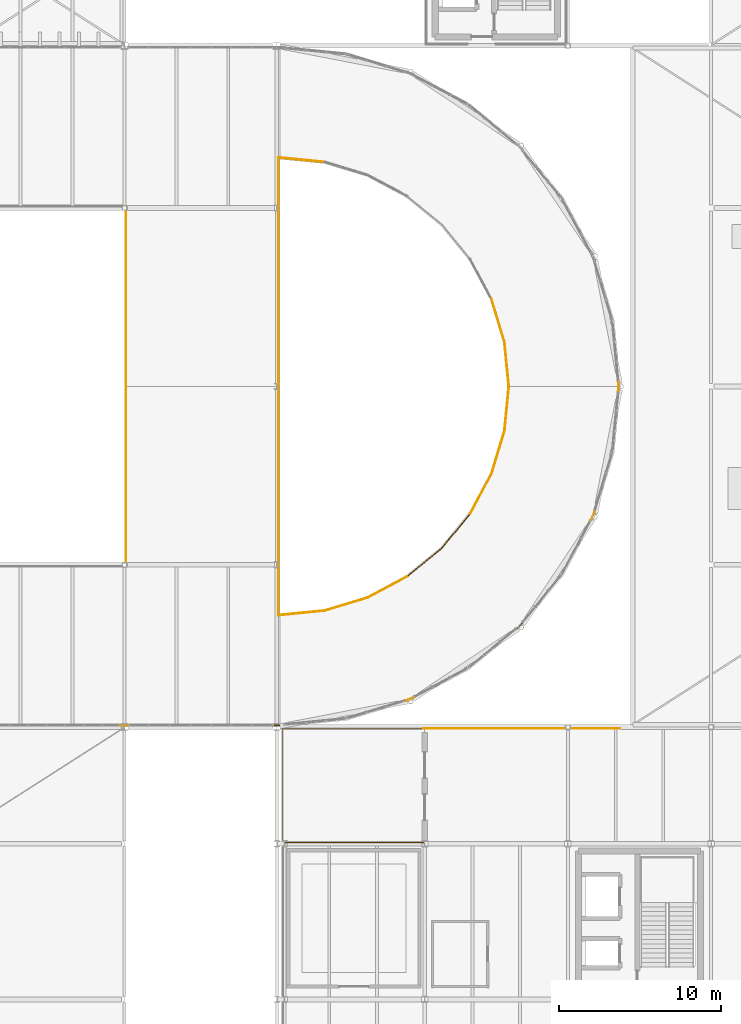
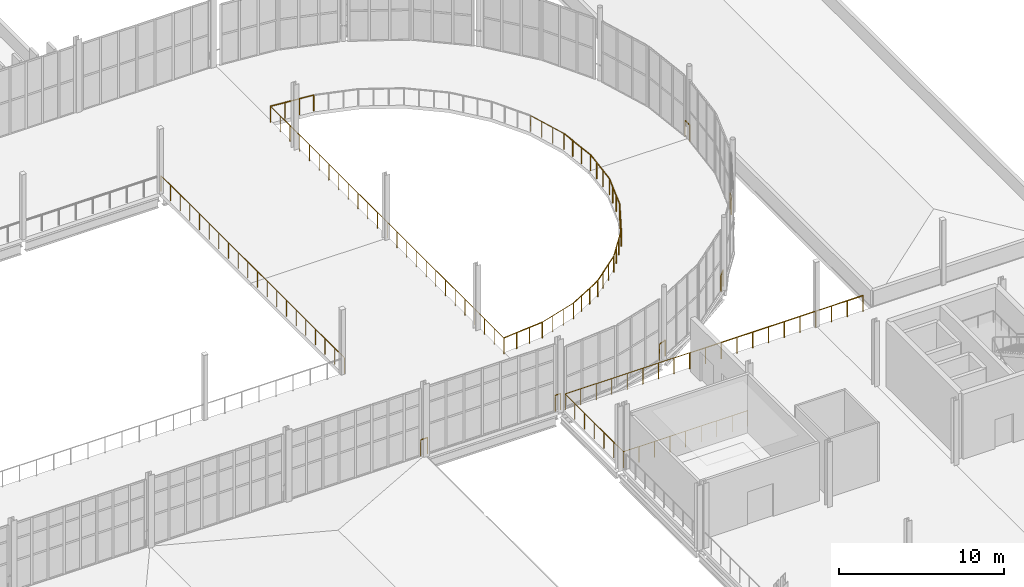
# One storey, part 111 of 112: 21 railings.
"""IFC4 building model written with IfcOpenShell, lengths in metres."""

from ifc_helpers import new_model, si_unit, direction, frame, origin, origin_2d, place, context, subcontext, project, spatial, circle, extrude, material, type_object, element, save


model = new_model("IFC4")

# Units and contexts
model_context = context("Model", 3, precision=1e-05, world=origin(), true_north=direction((0.0, 1.0)))
body_context = subcontext(model_context, "Body", "Model", "MODEL_VIEW")
ifc_project = project(units=[si_unit("LENGTHUNIT", "METRE"), si_unit("AREAUNIT", "SQUARE_METRE"), si_unit("VOLUMEUNIT", "CUBIC_METRE"), si_unit("PLANEANGLEUNIT", "RADIAN"), si_unit("MASSUNIT", "GRAM", prefix="KILO")], contexts=[model_context])

# Site, building, storey
site_placement = place(None, origin())
site = spatial("IfcSite", under=ifc_project, at=site_placement, CompositionType="ELEMENT")
building_placement = place(site_placement, origin())
building = spatial("IfcBuilding", under=site, at=building_placement, Name="Yeouljin Market Hall", CompositionType="ELEMENT")
storey_placement = place(building_placement, frame((0.0, 0.0, 6.0)))
storey = spatial("IfcBuildingStorey", under=building, at=storey_placement, Name="L01", CompositionType="ELEMENT", Elevation=6.0)

# Railings
ifc_material_1 = material(Name="Wrought Iron and Bronze Gallery Balustrade")
railing_type_1 = type_object("IfcRailingType", Name="Railing_AtriumBalustrade_1200", PredefinedType="BALUSTRADE", material=ifc_material_1)
railing_1_placement = place(storey_placement, frame((149.85009765625, 35.89990234375, 0.0)))
element("IfcRailing", 1, at=railing_1_placement, inside=storey, type_object=railing_type_1, Name="Gallery & deck edge balustrade L01-065", PredefinedType="BALUSTRADE", context=body_context, shape_type="SweptSolid", body=[
    extrude(circle(Radius=0.02392578125, at=origin_2d()), frame((0.0, 0.0, 1.17578125), z_axis=(1.0, 0.0, 0.0), x_axis=(0.0, 1.0, 0.0)), (0.0, 0.0, 1.0), 12.1083984375),
    extrude(circle(Radius=0.02099609375, at=origin_2d()), origin(), (0.0, 0.0, 1.0), 1.15185546875),
    extrude(circle(Radius=0.02099609375, at=origin_2d()), frame((1.100830078125, 0.0, 0.0)), (0.0, 0.0, 1.0), 1.15185546875),
    extrude(circle(Radius=0.02099609375, at=origin_2d()), frame((2.201416015625, 0.0, 0.0)), (0.0, 0.0, 1.0), 1.15185546875),
    extrude(circle(Radius=0.02099609375, at=origin_2d()), frame((3.30224609375, 0.0, 0.0)), (0.0, 0.0, 1.0), 1.15185546875),
    extrude(circle(Radius=0.02099609375, at=origin_2d()), frame((4.403076171875, 0.0, 0.0)), (0.0, 0.0, 1.0), 1.15185546875),
    extrude(circle(Radius=0.02099609375, at=origin_2d()), frame((5.50390625, 0.0, 0.0)), (0.0, 0.0, 1.0), 1.15185546875),
    extrude(circle(Radius=0.02099609375, at=origin_2d()), frame((6.6044921875, 0.0, 0.0)), (0.0, 0.0, 1.0), 1.15185546875),
    extrude(circle(Radius=0.02099609375, at=origin_2d()), frame((7.705322265625, 0.0, 0.0)), (0.0, 0.0, 1.0), 1.15185546875),
    extrude(circle(Radius=0.02099609375, at=origin_2d()), frame((8.80615234375, 0.0, 0.0)), (0.0, 0.0, 1.0), 1.15185546875),
    extrude(circle(Radius=0.02099609375, at=origin_2d()), frame((9.906982421875, 0.0, 0.0)), (0.0, 0.0, 1.0), 1.15185546875),
    extrude(circle(Radius=0.02099609375, at=origin_2d()), frame((11.007568359375, 0.0, 0.0)), (0.0, 0.0, 1.0), 1.15185546875),
    extrude(circle(Radius=0.02099609375, at=origin_2d()), frame((12.1083984375, 0.0, 0.0)), (0.0, 0.0, 1.0), 1.15185546875),
])
railing_2_placement = place(storey_placement, frame((161.871826171875, 57.280517578125, 0.0)))
element("IfcRailing", 2, at=railing_2_placement, inside=storey, type_object=railing_type_1, Name="Gallery & deck edge balustrade L01-085", PredefinedType="BALUSTRADE", context=body_context, shape_type="SweptSolid", body=[
    extrude(circle(Radius=0.02392578125, at=origin_2d()), frame((0.0, 0.0, 1.17578125), z_axis=(0.0, -1.0, 0.0), x_axis=(1.0, 0.0, 0.0)), (0.0, 0.0, 1.0), 0.56103515625),
    extrude(circle(Radius=0.02099609375, at=origin_2d()), origin(), (0.0, 0.0, 1.0), 1.15185546875),
    extrude(circle(Radius=0.02099609375, at=origin_2d()), frame((0.0, -0.56103515625, 0.0)), (0.0, 0.0, 1.0), 1.15185546875),
])
railing_3_placement = place(storey_placement, frame((160.390380859375, 49.27197265625, 0.0)))
element("IfcRailing", 3, at=railing_3_placement, inside=storey, type_object=railing_type_1, Name="Gallery & deck edge balustrade L01-086", PredefinedType="BALUSTRADE", context=body_context, shape_type="SweptSolid", body=[
    extrude(circle(Radius=0.02392578125, at=origin_2d()), frame((0.0, 0.0, 1.17578125), z_axis=(-0.382390216249, -0.924000932097, 0.0), x_axis=(0.924000932097, -0.382390216249, 0.0)), (0.0, 0.0, 1.0), 0.561279296875),
    extrude(circle(Radius=0.02099609375, at=origin_2d()), origin(), (0.0, 0.0, 1.0), 1.15185546875),
    extrude(circle(Radius=0.02099609375, at=origin_2d()), frame((-0.214599609375, -0.5185546875, 0.0)), (0.0, 0.0, 1.0), 1.15185546875),
])
railing_4_placement = place(storey_placement, frame((155.95703125, 42.439697265625, 0.0)))
element("IfcRailing", 4, at=railing_4_placement, inside=storey, type_object=railing_type_1, Name="Gallery & deck edge balustrade L01-087", PredefinedType="BALUSTRADE", context=body_context, shape_type="SweptSolid", body=[
    extrude(circle(Radius=0.02392578125, at=origin_2d()), frame((0.0, 0.0, 1.17578125), z_axis=(-0.707106781187, -0.707106781187, 0.0), x_axis=(0.707106781187, -0.707106781187, 0.0)), (0.0, 0.0, 1.0), 0.56103515625),
    extrude(circle(Radius=0.02099609375, at=origin_2d()), origin(), (0.0, 0.0, 1.0), 1.15185546875),
    extrude(circle(Radius=0.02099609375, at=origin_2d()), frame((-0.396728515625, -0.396728515625, 0.0)), (0.0, 0.0, 1.0), 1.15185546875),
])
railing_5_placement = place(storey_placement, frame((149.24658203125, 37.82421875, 0.0)))
element("IfcRailing", 5, at=railing_5_placement, inside=storey, type_object=railing_type_1, Name="Gallery & deck edge balustrade L01-088", PredefinedType="BALUSTRADE", context=body_context, shape_type="SweptSolid", body=[
    extrude(circle(Radius=0.02392578125, at=origin_2d()), frame((0.0, 0.0, 1.17578125), z_axis=(-0.924000932097, -0.382390216249, 0.0), x_axis=(0.382390216249, -0.924000932097, 0.0)), (0.0, 0.0, 1.0), 0.561279296875),
    extrude(circle(Radius=0.02099609375, at=origin_2d()), origin(), (0.0, 0.0, 1.0), 1.15185546875),
    extrude(circle(Radius=0.02099609375, at=origin_2d()), frame((-0.5185546875, -0.214599609375, 0.0)), (0.0, 0.0, 1.0), 1.15185546875),
])
railing_6_placement = place(storey_placement, frame((140.94580078125, 36.10009765625, 0.0)))
element("IfcRailing", 6, at=railing_6_placement, inside=storey, type_object=railing_type_1, Name="Gallery & deck edge balustrade L01-089", PredefinedType="BALUSTRADE", context=body_context, shape_type="SweptSolid", body=[
    extrude(circle(Radius=0.02392578125, at=origin_2d()), frame((0.0, 0.0, 1.17578125), z_axis=(-1.0, 0.0, 0.0), x_axis=(0.0, -1.0, 0.0)), (0.0, 0.0, 1.0), 0.395751953125),
    extrude(circle(Radius=0.02099609375, at=origin_2d()), origin(), (0.0, 0.0, 1.0), 1.15185546875),
    extrude(circle(Radius=0.02099609375, at=origin_2d()), frame((-0.395751953125, 0.0, 0.0)), (0.0, 0.0, 1.0), 1.15185546875),
])
railing_7_placement = place(storey_placement, frame((131.64990234375, 36.10009765625, 0.0)))
element("IfcRailing", 7, at=railing_7_placement, inside=storey, type_object=railing_type_1, Name="Gallery & deck edge balustrade L01-090", PredefinedType="BALUSTRADE", context=body_context, shape_type="SweptSolid", body=[
    extrude(circle(Radius=0.02392578125, at=origin_2d()), frame((0.0, 0.0, 1.17578125), z_axis=(-1.0, 0.0, 0.0), x_axis=(0.0, -1.0, 0.0)), (0.0, 0.0, 1.0), 0.5),
    extrude(circle(Radius=0.02099609375, at=origin_2d()), origin(), (0.0, 0.0, 1.0), 1.15185546875),
    extrude(circle(Radius=0.02099609375, at=origin_2d()), frame((-0.5, 0.0, 0.0)), (0.0, 0.0, 1.0), 1.15185546875),
])
railing_8_placement = place(storey_placement, frame((143.7509765625, 43.17041015625, 0.0)))
element("IfcRailing", 8, at=railing_8_placement, inside=storey, type_object=railing_type_1, Name="Gallery & deck edge balustrade L01-101", PredefinedType="BALUSTRADE", context=body_context, shape_type="SweptSolid", body=[
    extrude(circle(Radius=0.02392578125, at=origin_2d()), frame((0.0, 0.0, 1.17578125), z_axis=(0.956927035632, 0.290328518195, 0.0), x_axis=(-0.290328518195, 0.956927035632, 0.0)), (0.0, 0.0, 1.0), 2.76416015625),
    extrude(circle(Radius=0.02099609375, at=origin_2d()), origin(), (0.0, 0.0, 1.0), 1.15185546875),
    extrude(circle(Radius=0.02099609375, at=origin_2d()), frame((0.881591796875, 0.267578125, 0.0)), (0.0, 0.0, 1.0), 1.15185546875),
    extrude(circle(Radius=0.02099609375, at=origin_2d()), frame((1.763427734375, 0.534912109375, 0.0)), (0.0, 0.0, 1.0), 1.15185546875),
    extrude(circle(Radius=0.02099609375, at=origin_2d()), frame((2.64501953125, 0.802490234375, 0.0)), (0.0, 0.0, 1.0), 1.15185546875),
])
railing_9_placement = place(storey_placement, frame((146.39599609375, 43.972900390625, 0.0)))
element("IfcRailing", 9, at=railing_9_placement, inside=storey, type_object=railing_type_1, Name="Gallery & deck edge balustrade L01-102", PredefinedType="BALUSTRADE", context=body_context, shape_type="SweptSolid", body=[
    extrude(circle(Radius=0.02392578125, at=origin_2d()), frame((0.0, 0.0, 1.17578125), z_axis=(0.88192470469, 0.471390300343, 0.0), x_axis=(-0.471390300343, 0.88192470469, 0.0)), (0.0, 0.0, 1.0), 2.76416015625),
    extrude(circle(Radius=0.02099609375, at=origin_2d()), origin(), (0.0, 0.0, 1.0), 1.15185546875),
    extrude(circle(Radius=0.02099609375, at=origin_2d()), frame((0.8125, 0.434326171875, 0.0)), (0.0, 0.0, 1.0), 1.15185546875),
    extrude(circle(Radius=0.02099609375, at=origin_2d()), frame((1.625244140625, 0.86865234375, 0.0)), (0.0, 0.0, 1.0), 1.15185546875),
    extrude(circle(Radius=0.02099609375, at=origin_2d()), frame((2.437744140625, 1.302978515625, 0.0)), (0.0, 0.0, 1.0), 1.15185546875),
])
railing_10_placement = place(storey_placement, frame((148.833740234375, 45.27587890625, 0.0)))
element("IfcRailing", 10, at=railing_10_placement, inside=storey, type_object=railing_type_1, Name="Gallery & deck edge balustrade L01-103", PredefinedType="BALUSTRADE", context=body_context, shape_type="SweptSolid", body=[
    extrude(circle(Radius=0.02392578125, at=origin_2d()), frame((0.0, 0.0, 1.17578125), z_axis=(0.773071149446, 0.634319318556, 0.0), x_axis=(-0.634319318556, 0.773071149446, 0.0)), (0.0, 0.0, 1.0), 2.76416015625),
    extrude(circle(Radius=0.02099609375, at=origin_2d()), origin(), (0.0, 0.0, 1.0), 1.15185546875),
    extrude(circle(Radius=0.02099609375, at=origin_2d()), frame((0.71240234375, 0.58447265625, 0.0)), (0.0, 0.0, 1.0), 1.15185546875),
    extrude(circle(Radius=0.02099609375, at=origin_2d()), frame((1.424560546875, 1.1689453125, 0.0)), (0.0, 0.0, 1.0), 1.15185546875),
    extrude(circle(Radius=0.02099609375, at=origin_2d()), frame((2.136962890625, 1.75341796875, 0.0)), (0.0, 0.0, 1.0), 1.15185546875),
])
railing_11_placement = place(storey_placement, frame((150.970703125, 47.029296875, 0.0)))
element("IfcRailing", 11, at=railing_11_placement, inside=storey, type_object=railing_type_1, Name="Gallery & deck edge balustrade L01-104", PredefinedType="BALUSTRADE", context=body_context, shape_type="SweptSolid", body=[
    extrude(circle(Radius=0.02392578125, at=origin_2d()), frame((0.0, 0.0, 1.17578125), z_axis=(0.634319318556, 0.773071149446, 0.0), x_axis=(-0.773071149446, 0.634319318556, 0.0)), (0.0, 0.0, 1.0), 2.76416015625),
    extrude(circle(Radius=0.02099609375, at=origin_2d()), origin(), (0.0, 0.0, 1.0), 1.15185546875),
    extrude(circle(Radius=0.02099609375, at=origin_2d()), frame((0.58447265625, 0.71240234375, 0.0)), (0.0, 0.0, 1.0), 1.15185546875),
    extrude(circle(Radius=0.02099609375, at=origin_2d()), frame((1.1689453125, 1.424560546875, 0.0)), (0.0, 0.0, 1.0), 1.15185546875),
    extrude(circle(Radius=0.02099609375, at=origin_2d()), frame((1.75341796875, 2.136962890625, 0.0)), (0.0, 0.0, 1.0), 1.15185546875),
])
railing_12_placement = place(storey_placement, frame((152.72412109375, 49.166259765625, 0.0)))
element("IfcRailing", 12, at=railing_12_placement, inside=storey, type_object=railing_type_1, Name="Gallery & deck edge balustrade L01-105", PredefinedType="BALUSTRADE", context=body_context, shape_type="SweptSolid", body=[
    extrude(circle(Radius=0.02392578125, at=origin_2d()), frame((0.0, 0.0, 1.17578125), z_axis=(0.471390300343, 0.88192470469, 0.0), x_axis=(-0.88192470469, 0.471390300343, 0.0)), (0.0, 0.0, 1.0), 2.76416015625),
    extrude(circle(Radius=0.02099609375, at=origin_2d()), origin(), (0.0, 0.0, 1.0), 1.15185546875),
    extrude(circle(Radius=0.02099609375, at=origin_2d()), frame((0.434326171875, 0.8125, 0.0)), (0.0, 0.0, 1.0), 1.15185546875),
    extrude(circle(Radius=0.02099609375, at=origin_2d()), frame((0.86865234375, 1.625244140625, 0.0)), (0.0, 0.0, 1.0), 1.15185546875),
    extrude(circle(Radius=0.02099609375, at=origin_2d()), frame((1.302978515625, 2.437744140625, 0.0)), (0.0, 0.0, 1.0), 1.15185546875),
])
railing_13_placement = place(storey_placement, frame((154.027099609375, 51.60400390625, 0.0)))
element("IfcRailing", 13, at=railing_13_placement, inside=storey, type_object=railing_type_1, Name="Gallery & deck edge balustrade L01-106", PredefinedType="BALUSTRADE", context=body_context, shape_type="SweptSolid", body=[
    extrude(circle(Radius=0.02392578125, at=origin_2d()), frame((0.0, 0.0, 1.17578125), z_axis=(0.290328518195, 0.956927035632, 0.0), x_axis=(-0.956927035632, 0.290328518195, 0.0)), (0.0, 0.0, 1.0), 2.76416015625),
    extrude(circle(Radius=0.02099609375, at=origin_2d()), origin(), (0.0, 0.0, 1.0), 1.15185546875),
    extrude(circle(Radius=0.02099609375, at=origin_2d()), frame((0.267578125, 0.881591796875, 0.0)), (0.0, 0.0, 1.0), 1.15185546875),
    extrude(circle(Radius=0.02099609375, at=origin_2d()), frame((0.534912109375, 1.763427734375, 0.0)), (0.0, 0.0, 1.0), 1.15185546875),
    extrude(circle(Radius=0.02099609375, at=origin_2d()), frame((0.802490234375, 2.64501953125, 0.0)), (0.0, 0.0, 1.0), 1.15185546875),
])
railing_14_placement = place(storey_placement, frame((154.82958984375, 54.2490234375, 0.0)))
element("IfcRailing", 14, at=railing_14_placement, inside=storey, type_object=railing_type_1, Name="Gallery & deck edge balustrade L01-107", PredefinedType="BALUSTRADE", context=body_context, shape_type="SweptSolid", body=[
    extrude(circle(Radius=0.02392578125, at=origin_2d()), frame((0.0, 0.0, 1.17578125), z_axis=(0.098034535385, 0.995183013255, 0.0), x_axis=(-0.995183013255, 0.098034535385, 0.0)), (0.0, 0.0, 1.0), 2.764404296875),
    extrude(circle(Radius=0.02099609375, at=origin_2d()), origin(), (0.0, 0.0, 1.0), 1.15185546875),
    extrude(circle(Radius=0.02099609375, at=origin_2d()), frame((0.09033203125, 0.9169921875, 0.0)), (0.0, 0.0, 1.0), 1.15185546875),
    extrude(circle(Radius=0.02099609375, at=origin_2d()), frame((0.1806640625, 1.833984375, 0.0)), (0.0, 0.0, 1.0), 1.15185546875),
    extrude(circle(Radius=0.02099609375, at=origin_2d()), frame((0.27099609375, 2.7509765625, 0.0)), (0.0, 0.0, 1.0), 1.15185546875),
])
railing_15_placement = place(storey_placement, frame((155.1005859375, 57.0, 0.0)))
element("IfcRailing", 15, at=railing_15_placement, inside=storey, type_object=railing_type_1, Name="Gallery & deck edge balustrade L01-108", PredefinedType="BALUSTRADE", context=body_context, shape_type="SweptSolid", body=[
    extrude(circle(Radius=0.02392578125, at=origin_2d()), frame((0.0, 0.0, 1.17578125), z_axis=(-0.098034535385, 0.995183013255, 0.0), x_axis=(-0.995183013255, -0.098034535385, 0.0)), (0.0, 0.0, 1.0), 2.764404296875),
    extrude(circle(Radius=0.02099609375, at=origin_2d()), origin(), (0.0, 0.0, 1.0), 1.15185546875),
    extrude(circle(Radius=0.02099609375, at=origin_2d()), frame((-0.09033203125, 0.9169921875, 0.0)), (0.0, 0.0, 1.0), 1.15185546875),
    extrude(circle(Radius=0.02099609375, at=origin_2d()), frame((-0.1806640625, 1.833984375, 0.0)), (0.0, 0.0, 1.0), 1.15185546875),
    extrude(circle(Radius=0.02099609375, at=origin_2d()), frame((-0.27099609375, 2.7509765625, 0.0)), (0.0, 0.0, 1.0), 1.15185546875),
])
railing_16_placement = place(storey_placement, frame((154.82958984375, 59.7509765625, 0.0)))
element("IfcRailing", 16, at=railing_16_placement, inside=storey, type_object=railing_type_1, Name="Gallery & deck edge balustrade L01-109", PredefinedType="BALUSTRADE", context=body_context, shape_type="SweptSolid", body=[
    extrude(circle(Radius=0.02392578125, at=origin_2d()), frame((0.0, 0.0, 1.17578125), z_axis=(-0.290328518195, 0.956927035632, 0.0), x_axis=(-0.956927035632, -0.290328518195, 0.0)), (0.0, 0.0, 1.0), 2.76416015625),
    extrude(circle(Radius=0.02099609375, at=origin_2d()), origin(), (0.0, 0.0, 1.0), 1.15185546875),
    extrude(circle(Radius=0.02099609375, at=origin_2d()), frame((-0.267578125, 0.881591796875, 0.0)), (0.0, 0.0, 1.0), 1.15185546875),
    extrude(circle(Radius=0.02099609375, at=origin_2d()), frame((-0.534912109375, 1.763427734375, 0.0)), (0.0, 0.0, 1.0), 1.15185546875),
    extrude(circle(Radius=0.02099609375, at=origin_2d()), frame((-0.802490234375, 2.64501953125, 0.0)), (0.0, 0.0, 1.0), 1.15185546875),
])
railing_17_placement = place(storey_placement, frame((143.7509765625, 70.82958984375, 0.0)))
element("IfcRailing", 17, at=railing_17_placement, inside=storey, type_object=railing_type_1, Name="Gallery & deck edge balustrade L01-115", PredefinedType="BALUSTRADE", context=body_context, shape_type="SweptSolid", body=[
    extrude(circle(Radius=0.02392578125, at=origin_2d()), frame((0.0, 0.0, 1.17578125), z_axis=(-0.99518624452, 0.098001728138, 0.0), x_axis=(-0.098001728138, -0.99518624452, 0.0)), (0.0, 0.0, 1.0), 2.86474609375),
    extrude(circle(Radius=0.02099609375, at=origin_2d()), origin(), (0.0, 0.0, 1.0), 1.15185546875),
    extrude(circle(Radius=0.02099609375, at=origin_2d()), frame((-0.950439453125, 0.093505859375, 0.0)), (0.0, 0.0, 1.0), 1.15185546875),
    extrude(circle(Radius=0.02099609375, at=origin_2d()), frame((-1.900634765625, 0.187255859375, 0.0)), (0.0, 0.0, 1.0), 1.15185546875),
    extrude(circle(Radius=0.02099609375, at=origin_2d()), frame((-2.85107421875, 0.28076171875, 0.0)), (0.0, 0.0, 1.0), 1.15185546875),
])
railing_18_placement = place(storey_placement, frame((140.89990234375, 71.1103515625, 0.0)))
element("IfcRailing", 18, at=railing_18_placement, inside=storey, type_object=railing_type_1, Name="Gallery & deck edge balustrade L01-116", PredefinedType="BALUSTRADE", context=body_context, shape_type="SweptSolid", body=[
    extrude(circle(Radius=0.02392578125, at=origin_2d()), frame((0.0, 0.0, 1.17578125), z_axis=(0.0, -1.0, 0.0), x_axis=(1.0, 0.0, 0.0)), (0.0, 0.0, 1.0), 28.220703125),
    extrude(circle(Radius=0.02099609375, at=origin_2d()), origin(), (0.0, 0.0, 1.0), 1.15185546875),
    extrude(circle(Radius=0.02099609375, at=origin_2d()), frame((0.0, -1.17578125, 0.0)), (0.0, 0.0, 1.0), 1.15185546875),
    extrude(circle(Radius=0.02099609375, at=origin_2d()), frame((0.0, -2.351806640625, 0.0)), (0.0, 0.0, 1.0), 1.15185546875),
    extrude(circle(Radius=0.02099609375, at=origin_2d()), frame((0.0, -3.527587890625, 0.0)), (0.0, 0.0, 1.0), 1.15185546875),
    extrude(circle(Radius=0.02099609375, at=origin_2d()), frame((0.0, -4.703369140625, 0.0)), (0.0, 0.0, 1.0), 1.15185546875),
    extrude(circle(Radius=0.02099609375, at=origin_2d()), frame((0.0, -5.87939453125, 0.0)), (0.0, 0.0, 1.0), 1.15185546875),
    extrude(circle(Radius=0.02099609375, at=origin_2d()), frame((0.0, -7.05517578125, 0.0)), (0.0, 0.0, 1.0), 1.15185546875),
    extrude(circle(Radius=0.02099609375, at=origin_2d()), frame((0.0, -8.23095703125, 0.0)), (0.0, 0.0, 1.0), 1.15185546875),
    extrude(circle(Radius=0.02099609375, at=origin_2d()), frame((0.0, -9.406982421875, 0.0)), (0.0, 0.0, 1.0), 1.15185546875),
    extrude(circle(Radius=0.02099609375, at=origin_2d()), frame((0.0, -10.582763671875, 0.0)), (0.0, 0.0, 1.0), 1.15185546875),
    extrude(circle(Radius=0.02099609375, at=origin_2d()), frame((0.0, -11.758544921875, 0.0)), (0.0, 0.0, 1.0), 1.15185546875),
    extrude(circle(Radius=0.02099609375, at=origin_2d()), frame((0.0, -12.9345703125, 0.0)), (0.0, 0.0, 1.0), 1.15185546875),
    extrude(circle(Radius=0.02099609375, at=origin_2d()), frame((0.0, -14.1103515625, 0.0)), (0.0, 0.0, 1.0), 1.15185546875),
    extrude(circle(Radius=0.02099609375, at=origin_2d()), frame((0.0, -15.2861328125, 0.0)), (0.0, 0.0, 1.0), 1.15185546875),
    extrude(circle(Radius=0.02099609375, at=origin_2d()), frame((0.0, -16.462158203125, 0.0)), (0.0, 0.0, 1.0), 1.15185546875),
    extrude(circle(Radius=0.02099609375, at=origin_2d()), frame((0.0, -17.637939453125, 0.0)), (0.0, 0.0, 1.0), 1.15185546875),
    extrude(circle(Radius=0.02099609375, at=origin_2d()), frame((0.0, -18.813720703125, 0.0)), (0.0, 0.0, 1.0), 1.15185546875),
    extrude(circle(Radius=0.02099609375, at=origin_2d()), frame((0.0, -19.98974609375, 0.0)), (0.0, 0.0, 1.0), 1.15185546875),
    extrude(circle(Radius=0.02099609375, at=origin_2d()), frame((0.0, -21.16552734375, 0.0)), (0.0, 0.0, 1.0), 1.15185546875),
    extrude(circle(Radius=0.02099609375, at=origin_2d()), frame((0.0, -22.34130859375, 0.0)), (0.0, 0.0, 1.0), 1.15185546875),
    extrude(circle(Radius=0.02099609375, at=origin_2d()), frame((0.0, -23.517333984375, 0.0)), (0.0, 0.0, 1.0), 1.15185546875),
    extrude(circle(Radius=0.02099609375, at=origin_2d()), frame((0.0, -24.693115234375, 0.0)), (0.0, 0.0, 1.0), 1.15185546875),
    extrude(circle(Radius=0.02099609375, at=origin_2d()), frame((0.0, -25.868896484375, 0.0)), (0.0, 0.0, 1.0), 1.15185546875),
    extrude(circle(Radius=0.02099609375, at=origin_2d()), frame((0.0, -27.044921875, 0.0)), (0.0, 0.0, 1.0), 1.15185546875),
    extrude(circle(Radius=0.02099609375, at=origin_2d()), frame((0.0, -28.220703125, 0.0)), (0.0, 0.0, 1.0), 1.15185546875),
])
railing_19_placement = place(storey_placement, frame((140.89990234375, 42.8896484375, 0.0)))
element("IfcRailing", 19, at=railing_19_placement, inside=storey, type_object=railing_type_1, Name="Gallery & deck edge balustrade L01-117", PredefinedType="BALUSTRADE", context=body_context, shape_type="SweptSolid", body=[
    extrude(circle(Radius=0.02392578125, at=origin_2d()), frame((0.0, 0.0, 1.17578125), z_axis=(0.99518624452, 0.098001728138, 0.0), x_axis=(-0.098001728138, 0.99518624452, 0.0)), (0.0, 0.0, 1.0), 2.86474609375),
    extrude(circle(Radius=0.02099609375, at=origin_2d()), origin(), (0.0, 0.0, 1.0), 1.15185546875),
    extrude(circle(Radius=0.02099609375, at=origin_2d()), frame((0.950439453125, 0.093505859375, 0.0)), (0.0, 0.0, 1.0), 1.15185546875),
    extrude(circle(Radius=0.02099609375, at=origin_2d()), frame((1.900634765625, 0.187255859375, 0.0)), (0.0, 0.0, 1.0), 1.15185546875),
    extrude(circle(Radius=0.02099609375, at=origin_2d()), frame((2.85107421875, 0.28076171875, 0.0)), (0.0, 0.0, 1.0), 1.15185546875),
])
railing_20_placement = place(storey_placement, frame((131.5, 45.89990234375, 0.0)))
element("IfcRailing", 20, at=railing_20_placement, inside=storey, type_object=railing_type_1, Name="Gallery & deck edge balustrade L01-121", PredefinedType="BALUSTRADE", context=body_context, shape_type="SweptSolid", body=[
    extrude(circle(Radius=0.02392578125, at=origin_2d()), frame((0.0, 0.0, 1.17578125), z_axis=(0.0, 1.0, 0.0), x_axis=(-1.0, 0.0, 0.0)), (0.0, 0.0, 1.0), 22.2001953125),
    extrude(circle(Radius=0.02099609375, at=origin_2d()), origin(), (0.0, 0.0, 1.0), 1.15185546875),
    extrude(circle(Radius=0.02099609375, at=origin_2d()), frame((0.0, 1.16845703125, 0.0)), (0.0, 0.0, 1.0), 1.15185546875),
    extrude(circle(Radius=0.02099609375, at=origin_2d()), frame((0.0, 2.3369140625, 0.0)), (0.0, 0.0, 1.0), 1.15185546875),
    extrude(circle(Radius=0.02099609375, at=origin_2d()), frame((0.0, 3.50537109375, 0.0)), (0.0, 0.0, 1.0), 1.15185546875),
    extrude(circle(Radius=0.02099609375, at=origin_2d()), frame((0.0, 4.673828125, 0.0)), (0.0, 0.0, 1.0), 1.15185546875),
    extrude(circle(Radius=0.02099609375, at=origin_2d()), frame((0.0, 5.842041015625, 0.0)), (0.0, 0.0, 1.0), 1.15185546875),
    extrude(circle(Radius=0.02099609375, at=origin_2d()), frame((0.0, 7.010498046875, 0.0)), (0.0, 0.0, 1.0), 1.15185546875),
    extrude(circle(Radius=0.02099609375, at=origin_2d()), frame((0.0, 8.178955078125, 0.0)), (0.0, 0.0, 1.0), 1.15185546875),
    extrude(circle(Radius=0.02099609375, at=origin_2d()), frame((0.0, 9.347412109375, 0.0)), (0.0, 0.0, 1.0), 1.15185546875),
    extrude(circle(Radius=0.02099609375, at=origin_2d()), frame((0.0, 10.515869140625, 0.0)), (0.0, 0.0, 1.0), 1.15185546875),
    extrude(circle(Radius=0.02099609375, at=origin_2d()), frame((0.0, 11.684326171875, 0.0)), (0.0, 0.0, 1.0), 1.15185546875),
    extrude(circle(Radius=0.02099609375, at=origin_2d()), frame((0.0, 12.852783203125, 0.0)), (0.0, 0.0, 1.0), 1.15185546875),
    extrude(circle(Radius=0.02099609375, at=origin_2d()), frame((0.0, 14.021240234375, 0.0)), (0.0, 0.0, 1.0), 1.15185546875),
    extrude(circle(Radius=0.02099609375, at=origin_2d()), frame((0.0, 15.189697265625, 0.0)), (0.0, 0.0, 1.0), 1.15185546875),
    extrude(circle(Radius=0.02099609375, at=origin_2d()), frame((0.0, 16.358154296875, 0.0)), (0.0, 0.0, 1.0), 1.15185546875),
    extrude(circle(Radius=0.02099609375, at=origin_2d()), frame((0.0, 17.5263671875, 0.0)), (0.0, 0.0, 1.0), 1.15185546875),
    extrude(circle(Radius=0.02099609375, at=origin_2d()), frame((0.0, 18.69482421875, 0.0)), (0.0, 0.0, 1.0), 1.15185546875),
    extrude(circle(Radius=0.02099609375, at=origin_2d()), frame((0.0, 19.86328125, 0.0)), (0.0, 0.0, 1.0), 1.15185546875),
    extrude(circle(Radius=0.02099609375, at=origin_2d()), frame((0.0, 21.03173828125, 0.0)), (0.0, 0.0, 1.0), 1.15185546875),
    extrude(circle(Radius=0.02099609375, at=origin_2d()), frame((0.0, 22.2001953125, 0.0)), (0.0, 0.0, 1.0), 1.15185546875),
])
ifc_material_2 = material(Name="Architectural Bronze Balustrade")
railing_type_2 = type_object("IfcRailingType", Name="Railing_TerraceGuard_1200", PredefinedType="GUARDRAIL", material=ifc_material_2)
railing_21_placement = place(storey_placement, frame((149.85009765625, 28.8798828125, 0.0)))
element("IfcRailing", 21, at=railing_21_placement, inside=storey, type_object=railing_type_2, Name="East promenade terrace guardrail L01", PredefinedType="GUARDRAIL", context=body_context, shape_type="SweptSolid", body=[
    extrude(circle(Radius=0.02392578125, at=origin_2d()), frame((0.0, 0.0, 1.17578125), z_axis=(-1.0, 0.0, 0.0), x_axis=(0.0, -1.0, 0.0)), (0.0, 0.0, 1.0), 8.690185546875),
    extrude(circle(Radius=0.02392578125, at=origin_2d()), frame((-8.690185546875, 0.0, 1.17578125), z_axis=(0.0, 1.0, 0.0), x_axis=(-1.0, 0.0, 0.0)), (0.0, 0.0, 1.0), 7.0400390625),
    extrude(circle(Radius=0.02392578125, at=origin_2d()), frame((-8.690185546875, 7.0400390625, 1.17578125), z_axis=(1.0, 0.0, 0.0), x_axis=(0.0, 1.0, 0.0)), (0.0, 0.0, 1.0), 8.690185546875),
    extrude(circle(Radius=0.02099609375, at=origin_2d()), origin(), (0.0, 0.0, 1.0), 1.15185546875),
    extrude(circle(Radius=0.02099609375, at=origin_2d()), frame((-1.086181640625, 0.0, 0.0)), (0.0, 0.0, 1.0), 1.15185546875),
    extrude(circle(Radius=0.02099609375, at=origin_2d()), frame((-2.172607421875, 0.0, 0.0)), (0.0, 0.0, 1.0), 1.15185546875),
    extrude(circle(Radius=0.02099609375, at=origin_2d()), frame((-3.2587890625, 0.0, 0.0)), (0.0, 0.0, 1.0), 1.15185546875),
    extrude(circle(Radius=0.02099609375, at=origin_2d()), frame((-4.34521484375, 0.0, 0.0)), (0.0, 0.0, 1.0), 1.15185546875),
    extrude(circle(Radius=0.02099609375, at=origin_2d()), frame((-5.431396484375, 0.0, 0.0)), (0.0, 0.0, 1.0), 1.15185546875),
    extrude(circle(Radius=0.02099609375, at=origin_2d()), frame((-6.517578125, 0.0, 0.0)), (0.0, 0.0, 1.0), 1.15185546875),
    extrude(circle(Radius=0.02099609375, at=origin_2d()), frame((-7.60400390625, 0.0, 0.0)), (0.0, 0.0, 1.0), 1.15185546875),
    extrude(circle(Radius=0.02099609375, at=origin_2d()), frame((-8.690185546875, 0.0, 0.0)), (0.0, 0.0, 1.0), 1.15185546875),
    extrude(circle(Radius=0.02099609375, at=origin_2d()), frame((-8.690185546875, 1.17333984375, 0.0)), (0.0, 0.0, 1.0), 1.15185546875),
    extrude(circle(Radius=0.02099609375, at=origin_2d()), frame((-8.690185546875, 2.3466796875, 0.0)), (0.0, 0.0, 1.0), 1.15185546875),
    extrude(circle(Radius=0.02099609375, at=origin_2d()), frame((-8.690185546875, 3.52001953125, 0.0)), (0.0, 0.0, 1.0), 1.15185546875),
    extrude(circle(Radius=0.02099609375, at=origin_2d()), frame((-8.690185546875, 4.693359375, 0.0)), (0.0, 0.0, 1.0), 1.15185546875),
    extrude(circle(Radius=0.02099609375, at=origin_2d()), frame((-8.690185546875, 5.86669921875, 0.0)), (0.0, 0.0, 1.0), 1.15185546875),
    extrude(circle(Radius=0.02099609375, at=origin_2d()), frame((-8.690185546875, 7.0400390625, 0.0)), (0.0, 0.0, 1.0), 1.15185546875),
    extrude(circle(Radius=0.02099609375, at=origin_2d()), frame((-7.60400390625, 7.0400390625, 0.0)), (0.0, 0.0, 1.0), 1.15185546875),
    extrude(circle(Radius=0.02099609375, at=origin_2d()), frame((-6.517578125, 7.0400390625, 0.0)), (0.0, 0.0, 1.0), 1.15185546875),
    extrude(circle(Radius=0.02099609375, at=origin_2d()), frame((-5.431396484375, 7.0400390625, 0.0)), (0.0, 0.0, 1.0), 1.15185546875),
    extrude(circle(Radius=0.02099609375, at=origin_2d()), frame((-4.34521484375, 7.0400390625, 0.0)), (0.0, 0.0, 1.0), 1.15185546875),
    extrude(circle(Radius=0.02099609375, at=origin_2d()), frame((-3.2587890625, 7.0400390625, 0.0)), (0.0, 0.0, 1.0), 1.15185546875),
    extrude(circle(Radius=0.02099609375, at=origin_2d()), frame((-2.172607421875, 7.0400390625, 0.0)), (0.0, 0.0, 1.0), 1.15185546875),
    extrude(circle(Radius=0.02099609375, at=origin_2d()), frame((-1.086181640625, 7.0400390625, 0.0)), (0.0, 0.0, 1.0), 1.15185546875),
    extrude(circle(Radius=0.02099609375, at=origin_2d()), frame((0.0, 7.0400390625, 0.0)), (0.0, 0.0, 1.0), 1.15185546875),
])

save(model, "model.ifc")
